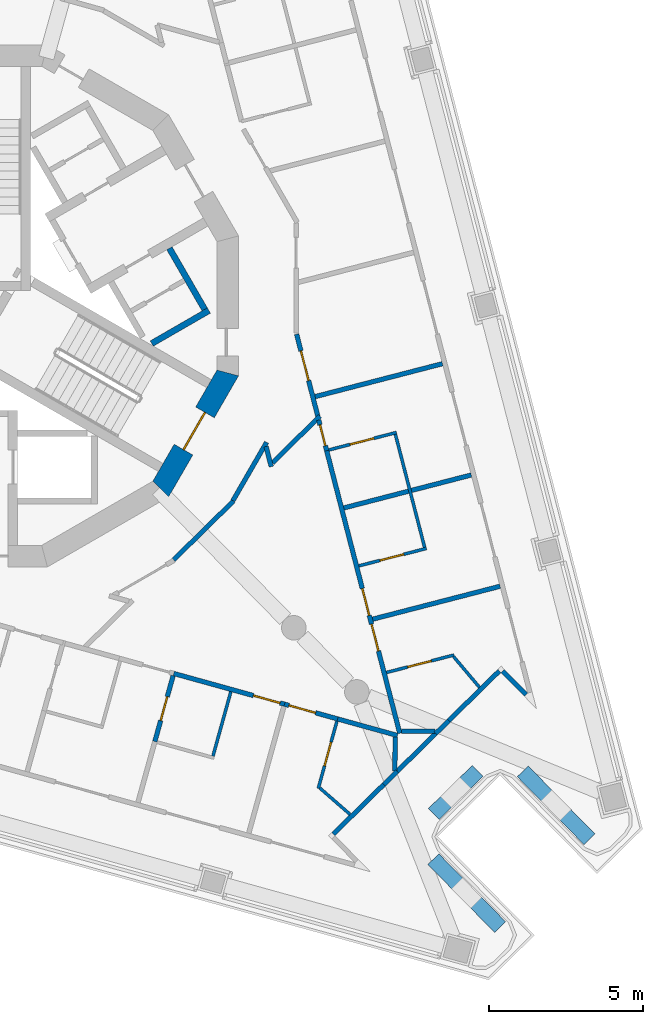
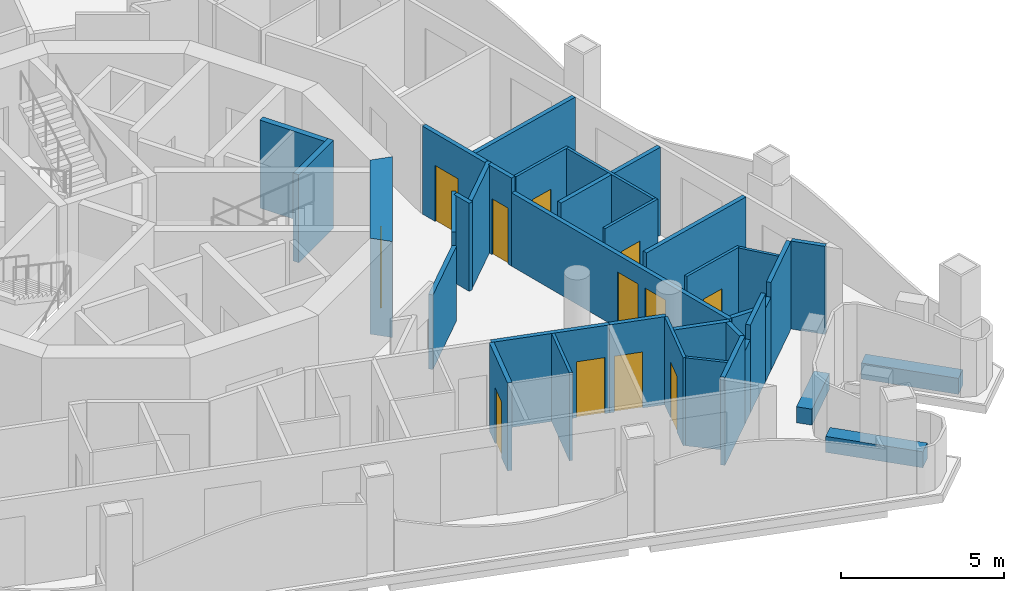
# One storey, part 6 of 14: 36 walls, 12 doors, 12 openings.
"""IFC4 building model written with IfcOpenShell, lengths in metres."""

from ifc_helpers import new_model, si_unit, direction, frame, frame_2d, origin, place, context, subcontext, project, spatial, polyline, rectangle, outline, extrude, material, layer, layer_set, type_object, element, fill, save


model = new_model("IFC4")

# Units and contexts
model_context = context("Model", 3, precision=1e-05, world=origin(), true_north=direction((0.0, 1.0)))
body_context = subcontext(model_context, "Body", "Model", "MODEL_VIEW")
ifc_project = project(units=[si_unit("LENGTHUNIT", "METRE"), si_unit("AREAUNIT", "SQUARE_METRE"), si_unit("VOLUMEUNIT", "CUBIC_METRE"), si_unit("PLANEANGLEUNIT", "RADIAN"), si_unit("MASSUNIT", "GRAM", prefix="KILO")], contexts=[model_context])

# Site, building, storey
site_placement = place(None, origin())
site = spatial("IfcSite", under=ifc_project, at=site_placement, CompositionType="ELEMENT")
building_placement = place(site_placement, origin())
building = spatial("IfcBuilding", under=site, at=building_placement, Name="Trine Commons Tower", CompositionType="ELEMENT")
storey_placement = place(building_placement, frame((0.0, 0.0, 242.10009765625)))
storey = spatial("IfcBuildingStorey", under=building, at=storey_placement, Name="L63", CompositionType="ELEMENT", Elevation=242.10009765625)

# Walls
ifc_material_1 = material(Name="Aluminium-framed insulated wall panel", Category="aluminium")
ifc_layer_1 = layer(ifc_material_1, 0.14990234375)
ifc_layer_set_1 = layer_set([ifc_layer_1], Name="Aluminium-framed insulated wall panel")
wall_type_1 = type_object("IfcWallType", Name="Glazed frame wall 150, EI 60", PredefinedType="SOLIDWALL", material=ifc_layer_set_1)
wall_1_placement = place(storey_placement, frame((97.966796875, 49.731201171875, 0.0), z_axis=(0.0, 0.0, 1.0), x_axis=(-0.700999978355, 0.71316129336, 0.0)))
element("IfcWall", 1, at=wall_1_placement, inside=storey, type_object=wall_type_1, Name="Glazed frame wall R6", PredefinedType="SOLIDWALL", context=body_context, shape_type="SweptSolid", body=[
    extrude(outline(polyline([(0.1494140625, 0.074951171875), (0.1494140625, -0.074951171875), (1.235107421875, -0.074951171875), (1.235107421875, 0.074951171875), (0.1494140625, 0.074951171875)])), origin(), (0.0, 0.0, 1.0), 3.2998046875),
])
wall_2_placement = place(storey_placement, frame((97.073486328125, 50.690185546875, 0.0), z_axis=(0.0, 0.0, 1.0), x_axis=(-0.713250368354, -0.700909346522, 0.0)))
element("IfcWall", 2, at=wall_2_placement, inside=storey, type_object=wall_type_1, Name="Glazed frame wall P2.1", PredefinedType="SOLIDWALL", context=body_context, shape_type="SweptSolid", body=[
    extrude(outline(polyline([(0.110107421875, -0.074951171875), (2.41357421875, -0.074951171875), (2.41357421875, 0.074951171875), (0.110107421875, 0.074951171875), (0.110107421875, -0.074951171875)])), origin(), (0.0, 0.0, 1.0), 3.2998046875),
])
wall_3_placement = place(storey_placement, frame((95.35205078125, 48.99853515625, 0.0), z_axis=(0.0, 0.0, 1.0), x_axis=(-0.713304727682, -0.700854025791, 0.0)))
element("IfcWall", 3, at=wall_3_placement, inside=storey, type_object=wall_type_1, Name="Glazed frame wall P2.2", PredefinedType="SOLIDWALL", context=body_context, shape_type="SweptSolid", body=[
    extrude(outline(polyline([(0.0, -0.074951171875), (0.60791015625, -0.074951171875), (0.60791015625, 0.074951171875), (0.0, 0.074951171875), (0.0, -0.074951171875)])), origin(), (0.0, 0.0, 1.0), 2.75),
])
wall_4_placement = place(storey_placement, frame((94.91845703125, 48.572509765625, 0.0), z_axis=(0.0, 0.0, 1.0), x_axis=(-0.713193839807, -0.700966865737, 0.0)))
element("IfcWall", 4, at=wall_4_placement, inside=storey, type_object=wall_type_1, Name="Glazed frame wall P2.3", PredefinedType="SOLIDWALL", context=body_context, shape_type="SweptSolid", body=[
    extrude(outline(polyline([(0.0, -0.074951171875), (1.757080078125, -0.074951171875), (1.757080078125, 0.074951171875), (0.0, 0.074951171875), (0.0, -0.074951171875)])), origin(), (0.0, 0.0, 1.0), 3.2998046875),
])
wall_5_placement = place(storey_placement, frame((93.665283203125, 47.3408203125, 0.0), z_axis=(0.0, 0.0, 1.0), x_axis=(-0.713304727682, -0.700854025791, 0.0)))
element("IfcWall", 5, at=wall_5_placement, inside=storey, type_object=wall_type_1, Name="Glazed frame wall P2.4", PredefinedType="SOLIDWALL", context=body_context, shape_type="SweptSolid", body=[
    extrude(outline(polyline([(0.0, -0.074951171875), (0.60791015625, -0.074951171875), (0.60791015625, 0.074951171875), (0.0, 0.074951171875), (0.0, -0.074951171875)])), origin(), (0.0, 0.0, 1.0), 2.75),
])
wall_6_placement = place(storey_placement, frame((93.231689453125, 46.914794921875, 0.0), z_axis=(0.0, 0.0, 1.0), x_axis=(-0.713249493487, -0.700910236793, 0.0)))
element("IfcWall", 6, at=wall_6_placement, inside=storey, type_object=wall_type_1, Name="Glazed frame wall P2.5", PredefinedType="SOLIDWALL", context=body_context, shape_type="SweptSolid", body=[
    extrude(outline(polyline([(2.3037109375, 0.074951171875), (0.0, 0.074951171875), (0.0, -0.074951171875), (2.3037109375, -0.074951171875), (2.3037109375, 0.074951171875)])), origin(), (0.0, 0.0, 1.0), 3.2998046875),
])
ifc_material_2 = material(Name="Planter trough, precast concrete C40/50", Category="concrete")
ifc_layer_2 = layer(ifc_material_2, 0.5)
ifc_layer_set_2 = layer_set([ifc_layer_2], Name="Planter trough, precast concrete C40/50")
wall_type_2 = type_object("IfcWallType", Name="Planter trough 500x600", PredefinedType="PARAPET", material=ifc_layer_set_2)
wall_7_placement = place(storey_placement, frame((99.927734375, 45.1318359375, 0.0), z_axis=(0.0, 0.0, 1.0), x_axis=(-0.700897681372, 0.713261831481, 0.0)))
element("IfcWall", 7, at=wall_7_placement, inside=storey, type_object=wall_type_2, Name="Planter 7", PredefinedType="PARAPET", context=body_context, shape_type="SweptSolid", body=[
    extrude(rectangle(XDim=3.10009765625, YDim=0.5, at=frame_2d((1.550048828125, 0.0))), origin(), (0.0, 0.0, 1.0), 0.599853515625),
])
wall_8_placement = place(storey_placement, frame((96.2841796875, 47.355712890625, 0.0), z_axis=(0.0, 0.0, 1.0), x_axis=(-0.713305380591, -0.700853361282, 0.0)))
element("IfcWall", 8, at=wall_8_placement, inside=storey, type_object=wall_type_2, Name="Planter 8", PredefinedType="PARAPET", context=body_context, shape_type="SweptSolid", body=[
    extrude(rectangle(XDim=1.999755859375, YDim=0.5, at=frame_2d((1.0, 0.0))), origin(), (0.0, 0.0, 1.0), 0.599853515625),
])
wall_9_placement = place(storey_placement, frame((94.844970703125, 44.4833984375, 0.0), z_axis=(0.0, 0.0, 1.0), x_axis=(0.700857613291, -0.713301202784, 0.0)))
element("IfcWall", 9, at=wall_9_placement, inside=storey, type_object=wall_type_2, Name="Planter 9", PredefinedType="PARAPET", context=body_context, shape_type="SweptSolid", body=[
    extrude(rectangle(XDim=3.099853515625, YDim=0.5, at=frame_2d((1.5498046875, 0.0))), origin(), (0.0, 0.0, 1.0), 0.599853515625),
])

# Wall, opening, door
ifc_material_3 = material(Name="Concrete C50/60", Category="concrete")
ifc_layer_3 = layer(ifc_material_3, 0.699951171875)
ifc_layer_set_3 = layer_set([ifc_layer_3], Name="Concrete C50/60")
wall_type_3 = type_object("IfcWallType", Name="RC shear wall 700 mm, C50/60", PredefinedType="SHEAR", material=ifc_layer_set_3)
wall_10_placement = place(storey_placement, frame((85.91943359375, 56.452392578125, 0.0), z_axis=(0.0, 0.0, 1.0), x_axis=(0.499983800959, 0.866034756103, 0.0)))
wall_10 = element("IfcWall", 10, at=wall_10_placement, inside=storey, type_object=wall_type_3, Name="Core wall CWG-12 L63", PredefinedType="SHEAR", context=body_context, shape_type="SweptSolid", body=[
    extrude(outline(polyline([(0.0, -0.35009765625), (4.55517578125, -0.35009765625), (4.36767578125, 0.35009765625), (0.1875, 0.35009765625), (0.0, -0.35009765625)])), origin(), (0.0, 0.0, 1.0), 3.599853515625),
])
opening_1_placement = place(wall_10_placement, frame((1.577392578125, 0.0, 0.0)))
opening_1 = element("IfcOpeningElement", 11, at=opening_1_placement, cuts=wall_10, Name="Opening K15.03", PredefinedType="OPENING", context=body_context, shape_type="SweptSolid", body=[
    extrude(rectangle(XDim=1.39990234375, YDim=2.10009765625, at=frame_2d((0.699951171875, 1.050048828125))), frame((0.0, 0.35986328125, 0.0), z_axis=(0.0, -1.0, 0.0), x_axis=(1.0, 0.0, 0.0)), (0.0, 0.0, 1.0), 0.719970703125),
])
ifc_material_4 = material(Name="Steel door leaves, fire-rated", Category="steel")
door_type_1 = type_object("IfcDoorType", Name="Stair door, double leaf 1400 x 2100, FD90", OperationType="DOUBLE_DOOR_SINGLE_SWING", PredefinedType="DOOR", material=ifc_material_4)
door_1_placement = place(opening_1_placement, origin())
door_1 = element("IfcDoor", 12, at=door_1_placement, inside=storey, type_object=door_type_1, Name="Stair door to Exit stair ST3C L63", OperationType="DOUBLE_DOOR_SINGLE_SWING", OverallHeight=2.10009765625, OverallWidth=1.39990234375, PredefinedType="DOOR", context=body_context, shape_type="SweptSolid", body=[
    extrude(rectangle(XDim=1.39990234375, YDim=2.10009765625, at=frame_2d((0.699951171875, 1.050048828125))), frame((0.0, 0.02490234375, 0.0), z_axis=(0.0, -1.0, 0.0), x_axis=(1.0, 0.0, 0.0)), (0.0, 0.0, 1.0), 0.050048828125),
])
fill(opening_1, door_1)

# Walls
ifc_material_5 = material(Name="Fire-rated gypsum shaft wall system")
ifc_layer_4 = layer(ifc_material_5, 0.199951171875)
ifc_layer_set_4 = layer_set([ifc_layer_4], Name="Fire-rated gypsum shaft wall system")
wall_type_4 = type_object("IfcWallType", Name="Shaft wall 200 mm, EI 120", PredefinedType="PARTITIONING", material=ifc_layer_set_4)
wall_11_placement = place(storey_placement, frame((85.675048828125, 61.27392578125, 0.0), z_axis=(0.0, 0.0, 1.0), x_axis=(0.866102336459, 0.499866725018, 0.0)))
element("IfcWall", 13, at=wall_11_placement, inside=storey, type_object=wall_type_4, Name="Shaft wall L63", PredefinedType="PARTITIONING", context=body_context, shape_type="SweptSolid", body=[
    extrude(rectangle(XDim=2.1484375, YDim=0.199951171875, at=frame_2d((1.07421875, 0.0))), origin(), (0.0, 0.0, 1.0), 3.2998046875),
])
wall_12_placement = place(storey_placement, frame((86.2490234375, 64.3759765625, 0.0), z_axis=(0.0, 0.0, 1.0), x_axis=(0.500136062276, -0.86594683394, 0.0)))
element("IfcWall", 14, at=wall_12_placement, inside=storey, type_object=wall_type_4, Name="Shaft wall L63", PredefinedType="PARTITIONING", context=body_context, shape_type="SweptSolid", body=[
    extrude(rectangle(XDim=2.299072265625, YDim=0.199951171875, at=frame_2d((1.1494140625, 0.0))), origin(), (0.0, 0.0, 1.0), 3.2998046875),
])

# Wall, opening, door
ifc_material_6 = material(Name="Gypsum plasterboard on steel stud", Category="steel")
ifc_layer_5 = layer(ifc_material_6, 0.14990234375)
ifc_layer_set_5 = layer_set([ifc_layer_5], Name="Gypsum plasterboard on steel stud")
wall_type_5 = type_object("IfcWallType", Name="Unit and corridor wall 150 mm, EI 60", PredefinedType="PARTITIONING", material=ifc_layer_set_5)
wall_13_placement = place(storey_placement, frame((85.77587890625, 48.31298828125, 0.0), z_axis=(0.0, 0.0, 1.0), x_axis=(0.267423129935, 0.963579197355, 0.0)))
wall_13 = element("IfcWall", 15, at=wall_13_placement, inside=storey, type_object=wall_type_5, Name="Partition 074", PredefinedType="PARTITIONING", context=body_context, shape_type="SweptSolid", body=[
    extrude(rectangle(XDim=2.224853515625, YDim=0.14990234375, at=frame_2d((1.1123046875, 0.0))), origin(), (0.0, 0.0, 1.0), 3.2998046875),
])
opening_2_placement = place(wall_13_placement, frame((0.71240234375, 0.0, 0.0)))
opening_2 = element("IfcOpeningElement", 16, at=opening_2_placement, cuts=wall_13, Name="Opening D-7A41", PredefinedType="OPENING", context=body_context, shape_type="SweptSolid", body=[
    extrude(rectangle(XDim=0.800048828125, YDim=2.10009765625, at=frame_2d((0.39990234375, 1.050048828125))), frame((0.0, 0.0849609375, 0.0), z_axis=(0.0, -1.0, 0.0), x_axis=(1.0, 0.0, 0.0)), (0.0, 0.0, 1.0), 0.169921875),
])
ifc_material_7 = material(Name="Painted timber", Category="wood")
door_type_2 = type_object("IfcDoorType", Name="Internal door 800 x 2100, NOT RATED", OperationType="NOTDEFINED", PredefinedType="DOOR", material=ifc_material_7)
door_2_placement = place(opening_2_placement, origin())
door_2 = element("IfcDoor", 17, at=door_2_placement, inside=storey, type_object=door_type_2, Name="Door D-7A41", OperationType="SINGLE_SWING_RIGHT", OverallHeight=2.10009765625, OverallWidth=0.800048828125, PredefinedType="DOOR", context=body_context, shape_type="SweptSolid", body=[
    extrude(rectangle(XDim=0.800048828125, YDim=2.10009765625, at=frame_2d((0.39990234375, 1.050048828125))), frame((0.0, 0.02490234375, 0.0), z_axis=(0.0, -1.0, 0.0), x_axis=(1.0, 0.0, 0.0)), (0.0, 0.0, 1.0), 0.050048828125),
])
fill(opening_2, door_2)

# Wall
wall_14_placement = place(storey_placement, frame((86.384521484375, 54.2275390625, 0.0), z_axis=(0.0, 0.0, 1.0), x_axis=(0.713113779806, 0.701048312922, 0.0)))
element("IfcWall", 18, at=wall_14_placement, inside=storey, type_object=wall_type_5, Name="Partition 078", PredefinedType="PARTITIONING", context=body_context, shape_type="SweptSolid", body=[
    extrude(rectangle(XDim=2.731689453125, YDim=0.14990234375, at=frame_2d((1.36572265625, 0.0))), origin(), (0.0, 0.0, 1.0), 2.7998046875),
])

# Wall, opening, door
wall_15_placement = place(storey_placement, frame((86.39111328125, 50.529052734375, 0.0), z_axis=(0.0, 0.0, 1.0), x_axis=(0.963631856359, -0.267233316428, 0.0)))
wall_15 = element("IfcWall", 19, at=wall_15_placement, inside=storey, type_object=wall_type_5, Name="Partition 079", PredefinedType="PARTITIONING", context=body_context, shape_type="SweptSolid", body=[
    extrude(rectangle(XDim=3.741943359375, YDim=0.14990234375, at=frame_2d((1.87109375, 0.0))), origin(), (0.0, 0.0, 1.0), 3.2998046875),
])
opening_3_placement = place(wall_15_placement, frame((2.692138671875, 0.0, 0.0)))
opening_3 = element("IfcOpeningElement", 20, at=opening_3_placement, cuts=wall_15, Name="Opening D-7A20", PredefinedType="OPENING", context=body_context, shape_type="SweptSolid", body=[
    extrude(rectangle(XDim=0.89990234375, YDim=2.10009765625, at=frame_2d((0.449951171875, 1.050048828125))), frame((0.0, 0.0849609375, 0.0), z_axis=(0.0, -1.0, 0.0), x_axis=(1.0, 0.0, 0.0)), (0.0, 0.0, 1.0), 0.169921875),
])
ifc_material_8 = material(Name="Timber fire door set", Category="wood")
door_type_3 = type_object("IfcDoorType", Name="Bedroom door 900 x 2100, FD30S", OperationType="NOTDEFINED", PredefinedType="DOOR", material=ifc_material_8)
door_3_placement = place(opening_3_placement, frame((0.89990234375, 0.0, 0.0), z_axis=(0.0, 0.0, 1.0), x_axis=(-1.0, 0.0, 0.0)))
door_3 = element("IfcDoor", 21, at=door_3_placement, inside=storey, type_object=door_type_3, Name="Door D-7A20", OperationType="SINGLE_SWING_LEFT", OverallHeight=2.10009765625, OverallWidth=0.89990234375, PredefinedType="DOOR", context=body_context, shape_type="SweptSolid", body=[
    extrude(rectangle(XDim=0.89990234375, YDim=2.10009765625, at=frame_2d((0.449951171875, 1.050048828125))), frame((0.0, 0.02490234375, 0.0), z_axis=(0.0, -1.0, 0.0), x_axis=(1.0, 0.0, 0.0)), (0.0, 0.0, 1.0), 0.050048828125),
])
fill(opening_3, door_3)

# Walls
wall_16_placement = place(storey_placement, frame((88.31640625, 56.15478515625, 0.0), z_axis=(0.0, 0.0, 1.0), x_axis=(0.500129524705, 0.865950609745, 0.0)))
element("IfcWall", 22, at=wall_16_placement, inside=storey, type_object=wall_type_5, Name="Partition 087", PredefinedType="PARTITIONING", context=body_context, shape_type="SweptSolid", body=[
    extrude(rectangle(XDim=2.19775390625, YDim=0.14990234375, at=frame_2d((1.098876953125, 0.0))), origin(), (0.0, 0.0, 1.0), 3.2998046875),
])
wall_17_placement = place(storey_placement, frame((89.396728515625, 57.92041015625, 0.0), z_axis=(0.0, 0.0, 1.0), x_axis=(0.249398389606, -0.968400972357, 0.0)))
element("IfcWall", 23, at=wall_17_placement, inside=storey, type_object=wall_type_5, Name="Partition 091", PredefinedType="PARTITIONING", context=body_context, shape_type="SweptSolid", body=[
    extrude(rectangle(XDim=0.677490234375, YDim=0.14990234375, at=frame_2d((0.3388671875, 0.0))), origin(), (0.0, 0.0, 1.0), 3.2998046875),
])
wall_18_placement = place(storey_placement, frame((89.60546875, 57.3896484375, 0.0), z_axis=(0.0, 0.0, 1.0), x_axis=(0.713117689353, 0.701044336068, 0.0)))
element("IfcWall", 24, at=wall_18_placement, inside=storey, type_object=wall_type_5, Name="Partition 093", PredefinedType="PARTITIONING", context=body_context, shape_type="SweptSolid", body=[
    extrude(rectangle(XDim=2.16357421875, YDim=0.14990234375, at=frame_2d((1.081787109375, 0.0))), origin(), (0.0, 0.0, 1.0), 3.2998046875),
])

# Wall, opening, door
wall_19_placement = place(storey_placement, frame((89.9970703125, 49.529052734375, 0.0), z_axis=(0.0, 0.0, 1.0), x_axis=(0.963677325853, -0.267069301188, 0.0)))
wall_19 = element("IfcWall", 25, at=wall_19_placement, inside=storey, type_object=wall_type_5, Name="Partition 095", PredefinedType="PARTITIONING", context=body_context, shape_type="SweptSolid", body=[
    extrude(rectangle(XDim=1.797119140625, YDim=0.14990234375, at=frame_2d((0.8984375, 0.0))), origin(), (0.0, 0.0, 1.0), 3.2998046875),
])
opening_4_placement = place(wall_19_placement, frame((0.14990234375, 0.0, 0.0)))
opening_4 = element("IfcOpeningElement", 26, at=opening_4_placement, cuts=wall_19, Name="Opening D-7A19", PredefinedType="OPENING", context=body_context, shape_type="SweptSolid", body=[
    extrude(rectangle(XDim=0.89990234375, YDim=2.10009765625, at=frame_2d((0.449951171875, 1.050048828125))), frame((0.0, 0.0849609375, 0.0), z_axis=(0.0, -1.0, 0.0), x_axis=(1.0, 0.0, 0.0)), (0.0, 0.0, 1.0), 0.169921875),
])
door_4_placement = place(opening_4_placement, frame((0.89990234375, 0.0, 0.0), z_axis=(0.0, 0.0, 1.0), x_axis=(-1.0, 0.0, 0.0)))
door_4 = element("IfcDoor", 27, at=door_4_placement, inside=storey, type_object=door_type_3, Name="Door D-7A19", OperationType="SINGLE_SWING_RIGHT", OverallHeight=2.10009765625, OverallWidth=0.89990234375, PredefinedType="DOOR", context=body_context, shape_type="SweptSolid", body=[
    extrude(rectangle(XDim=0.89990234375, YDim=2.10009765625, at=frame_2d((0.449951171875, 1.050048828125))), frame((0.0, 0.02490234375, 0.0), z_axis=(0.0, -1.0, 0.0), x_axis=(1.0, 0.0, 0.0)), (0.0, 0.0, 1.0), 0.050048828125),
])
fill(opening_4, door_4)

wall_20_placement = place(storey_placement, frame((90.39208984375, 61.576904296875, 0.0), z_axis=(0.0, 0.0, 1.0), x_axis=(0.250280264266, -0.96817342936, 0.0)))
wall_20 = element("IfcWall", 28, at=wall_20_placement, inside=storey, type_object=wall_type_5, Name="Partition 099", PredefinedType="PARTITIONING", context=body_context, shape_type="SweptSolid", body=[
    extrude(rectangle(XDim=2.808349609375, YDim=0.14990234375, at=frame_2d((1.404296875, 0.0))), origin(), (0.0, 0.0, 1.0), 3.2998046875),
])
opening_5_placement = place(wall_20_placement, frame((0.5595703125, 0.0, 0.0)))
opening_5 = element("IfcOpeningElement", 29, at=opening_5_placement, cuts=wall_20, Name="Opening D-7A15", PredefinedType="OPENING", context=body_context, shape_type="SweptSolid", body=[
    extrude(rectangle(XDim=1.0, YDim=2.10009765625, at=frame_2d((0.5, 1.050048828125))), frame((0.0, 0.0849609375, 0.0), z_axis=(0.0, -1.0, 0.0), x_axis=(1.0, 0.0, 0.0)), (0.0, 0.0, 1.0), 0.169921875),
])
door_type_4 = type_object("IfcDoorType", Name="Toilet door 1000 x 2100, NOT RATED", OperationType="NOTDEFINED", PredefinedType="DOOR", material=ifc_material_7)
door_5_placement = place(opening_5_placement, origin())
door_5 = element("IfcDoor", 30, at=door_5_placement, inside=storey, type_object=door_type_4, Name="Door D-7A15", OperationType="SINGLE_SWING_LEFT", OverallHeight=2.10009765625, OverallWidth=1.0, PredefinedType="DOOR", context=body_context, shape_type="SweptSolid", body=[
    extrude(rectangle(XDim=1.0, YDim=2.10009765625, at=frame_2d((0.5, 1.050048828125))), frame((0.0, 0.02490234375, 0.0), z_axis=(0.0, -1.0, 0.0), x_axis=(1.0, 0.0, 0.0)), (0.0, 0.0, 1.0), 0.050048828125),
])
fill(opening_5, door_5)

# Wall
wall_21_placement = place(storey_placement, frame((90.99267578125, 59.543701171875, 0.0), z_axis=(0.0, 0.0, 1.0), x_axis=(0.968129527106, 0.250450032434, 0.0)))
element("IfcWall", 31, at=wall_21_placement, inside=storey, type_object=wall_type_5, Name="Partition 100", PredefinedType="PARTITIONING", context=body_context, shape_type="SweptSolid", body=[
    extrude(rectangle(XDim=4.28515625, YDim=0.14990234375, at=frame_2d((2.142578125, 0.0))), origin(), (0.0, 0.0, 1.0), 3.2998046875),
])

# Wall, opening, door
wall_22_placement = place(storey_placement, frame((91.11279296875, 58.782470703125, 0.0), z_axis=(0.0, 0.0, 1.0), x_axis=(0.249777676576, -0.968303212989, 0.0)))
wall_22 = element("IfcWall", 32, at=wall_22_placement, inside=storey, type_object=wall_type_5, Name="Partition 101", PredefinedType="PARTITIONING", context=body_context, shape_type="SweptSolid", body=[
    extrude(rectangle(XDim=1.0302734375, YDim=0.14990234375, at=frame_2d((0.51513671875, 0.0))), origin(), (0.0, 0.0, 1.0), 3.2998046875),
])
opening_6_placement = place(wall_22_placement, frame((0.162841796875, 0.0, 0.0)))
opening_6 = element("IfcOpeningElement", 33, at=opening_6_placement, cuts=wall_22, Name="Opening D-7A16", PredefinedType="OPENING", context=body_context, shape_type="SweptSolid", body=[
    extrude(rectangle(XDim=0.699951171875, YDim=2.10009765625, at=frame_2d((0.35009765625, 1.050048828125))), frame((0.0, 0.0849609375, 0.0), z_axis=(0.0, -1.0, 0.0), x_axis=(1.0, 0.0, 0.0)), (0.0, 0.0, 1.0), 0.169921875),
])
door_type_5 = type_object("IfcDoorType", Name="Bedroom door 700 x 2100, FD30S", OperationType="NOTDEFINED", PredefinedType="DOOR", material=ifc_material_8)
door_6_placement = place(opening_6_placement, origin())
door_6 = element("IfcDoor", 34, at=door_6_placement, inside=storey, type_object=door_type_5, Name="Door D-7A16", OperationType="SINGLE_SWING_LEFT", OverallHeight=2.10009765625, OverallWidth=0.699951171875, PredefinedType="DOOR", context=body_context, shape_type="SweptSolid", body=[
    extrude(rectangle(XDim=0.699951171875, YDim=2.10009765625, at=frame_2d((0.35009765625, 1.050048828125))), frame((0.0, 0.02490234375, 0.0), z_axis=(0.0, -1.0, 0.0), x_axis=(1.0, 0.0, 0.0)), (0.0, 0.0, 1.0), 0.050048828125),
])
fill(opening_6, door_6)

# Wall, openings, doors
wall_23_placement = place(storey_placement, frame((91.35546875, 57.84130859375, 0.0), z_axis=(0.0, 0.0, 1.0), x_axis=(0.25042530879, -0.968135922646, 0.0)))
wall_23 = element("IfcWall", 35, at=wall_23_placement, inside=storey, type_object=wall_type_5, Name="Partition 104", PredefinedType="PARTITIONING", context=body_context, shape_type="SweptSolid", body=[
    extrude(rectangle(XDim=9.564697265625, YDim=0.14990234375, at=frame_2d((4.7822265625, 0.0))), origin(), (0.0, 0.0, 1.0), 2.75),
])
opening_7_placement = place(wall_23_placement, frame((4.696533203125, 0.0, 0.0)))
opening_7 = element("IfcOpeningElement", 36, at=opening_7_placement, cuts=wall_23, Name="Opening D-7A17", PredefinedType="OPENING", context=body_context, shape_type="SweptSolid", body=[
    extrude(rectangle(XDim=0.89990234375, YDim=2.10009765625, at=frame_2d((0.449951171875, 1.050048828125))), frame((0.0, 0.0849609375, 0.0), z_axis=(0.0, -1.0, 0.0), x_axis=(1.0, 0.0, 0.0)), (0.0, 0.0, 1.0), 0.169921875),
])
opening_8_placement = place(wall_23_placement, frame((5.896728515625, 0.0, 0.0)))
opening_8 = element("IfcOpeningElement", 37, at=opening_8_placement, cuts=wall_23, Name="Opening D-7A18", PredefinedType="OPENING", context=body_context, shape_type="SweptSolid", body=[
    extrude(rectangle(XDim=0.89990234375, YDim=2.10009765625, at=frame_2d((0.449951171875, 1.050048828125))), frame((0.0, 0.0849609375, 0.0), z_axis=(0.0, -1.0, 0.0), x_axis=(1.0, 0.0, 0.0)), (0.0, 0.0, 1.0), 0.169921875),
])
door_7_placement = place(opening_7_placement, origin())
door_7 = element("IfcDoor", 38, at=door_7_placement, inside=storey, type_object=door_type_3, Name="Door D-7A17", OperationType="SINGLE_SWING_RIGHT", OverallHeight=2.10009765625, OverallWidth=0.89990234375, PredefinedType="DOOR", context=body_context, shape_type="SweptSolid", body=[
    extrude(rectangle(XDim=0.89990234375, YDim=2.10009765625, at=frame_2d((0.449951171875, 1.050048828125))), frame((0.0, 0.02490234375, 0.0), z_axis=(0.0, -1.0, 0.0), x_axis=(1.0, 0.0, 0.0)), (0.0, 0.0, 1.0), 0.050048828125),
])
fill(opening_7, door_7)
door_8_placement = place(opening_8_placement, origin())
door_8 = element("IfcDoor", 39, at=door_8_placement, inside=storey, type_object=door_type_3, Name="Door D-7A18", OperationType="SINGLE_SWING_RIGHT", OverallHeight=2.10009765625, OverallWidth=0.89990234375, PredefinedType="DOOR", context=body_context, shape_type="SweptSolid", body=[
    extrude(rectangle(XDim=0.89990234375, YDim=2.10009765625, at=frame_2d((0.449951171875, 1.050048828125))), frame((0.0, 0.02490234375, 0.0), z_axis=(0.0, -1.0, 0.0), x_axis=(1.0, 0.0, 0.0)), (0.0, 0.0, 1.0), 0.050048828125),
])
fill(opening_8, door_8)

# Walls
wall_24_placement = place(storey_placement, frame((91.6728515625, 49.064453125, 0.0), z_axis=(0.0, 0.0, 1.0), x_axis=(0.963652381101, -0.267159294054, 0.0)))
element("IfcWall", 40, at=wall_24_placement, inside=storey, type_object=wall_type_5, Name="Partition 106", PredefinedType="PARTITIONING", context=body_context, shape_type="SweptSolid", body=[
    extrude(rectangle(XDim=2.0791015625, YDim=0.14990234375, at=frame_2d((1.03955078125, 0.0))), origin(), (0.0, 0.0, 1.0), 2.75),
])
wall_25_placement = place(storey_placement, frame((91.9296875, 55.919921875, 0.0), z_axis=(0.0, 0.0, 1.0), x_axis=(0.968143339783, 0.250396632634, 0.0)))
element("IfcWall", 41, at=wall_25_placement, inside=storey, type_object=wall_type_5, Name="Partition 107", PredefinedType="PARTITIONING", context=body_context, shape_type="SweptSolid", body=[
    extrude(rectangle(XDim=4.28515625, YDim=0.14990234375, at=frame_2d((2.142578125, 0.0))), origin(), (0.0, 0.0, 1.0), 3.2998046875),
])
wall_26_placement = place(storey_placement, frame((92.86767578125, 52.296875, 0.0), z_axis=(0.0, 0.0, 1.0), x_axis=(0.968184295309, 0.250238227129, 0.0)))
element("IfcWall", 42, at=wall_26_placement, inside=storey, type_object=wall_type_5, Name="Partition 109", PredefinedType="PARTITIONING", context=body_context, shape_type="SweptSolid", body=[
    extrude(rectangle(XDim=4.283935546875, YDim=0.14990234375, at=frame_2d((2.14208984375, 0.0))), origin(), (0.0, 0.0, 1.0), 3.2998046875),
])
for number, where, z_axis, x_axis, name in (
    (43, (93.589599609375, 47.35595703125, 0.0), (0.0, 0.0, 1.0), (0.012226742726, 0.999925250587, 0.0), "Partition 111"),
    (44, (93.806884765625, 48.653564453125, 0.0), (0.0, 0.0, 1.0), (0.999983294214, -0.005780250256, 0.0), "Partition 113"),
):
    element("IfcWall", number, at=place(storey_placement, frame(where, z_axis=z_axis, x_axis=x_axis)), inside=storey, type_object=wall_type_5, Name=name, PredefinedType="PARTITIONING", context=body_context, shape_type="SweptSolid", body=[
        extrude(rectangle(XDim=1.09814453125, YDim=0.14990234375, at=frame_2d((0.549072265625, 0.0))), origin(), (0.0, 0.0, 1.0), 2.75),
    ])
ifc_layer_6 = layer(ifc_material_6, 0.10009765625)
ifc_layer_set_6 = layer_set([ifc_layer_6], Name="Gypsum plasterboard on steel stud")
wall_type_6 = type_object("IfcWallType", Name="Unit partition 100 mm, no rating", PredefinedType="PARTITIONING", material=ifc_layer_set_6)
wall_27_placement = place(storey_placement, frame((87.66845703125, 47.840087890625, 0.0), z_axis=(0.0, 0.0, 1.0), x_axis=(0.26738911175, 0.96358863781, 0.0)))
element("IfcWall", 45, at=wall_27_placement, inside=storey, type_object=wall_type_6, Name="Partition 083", PredefinedType="PARTITIONING", context=body_context, shape_type="SweptSolid", body=[
    extrude(rectangle(XDim=2.1748046875, YDim=0.10009765625, at=frame_2d((1.08740234375, 0.0))), origin(), (0.0, 0.0, 1.0), 3.2998046875),
])

# Wall, opening, door
wall_28_placement = place(storey_placement, frame((91.0966796875, 46.784912109375, 0.0), z_axis=(0.0, 0.0, 1.0), x_axis=(0.267345061669, 0.963600860316, 0.0)))
wall_28 = element("IfcWall", 46, at=wall_28_placement, inside=storey, type_object=wall_type_6, Name="Partition 102", PredefinedType="PARTITIONING", context=body_context, shape_type="SweptSolid", body=[
    extrude(rectangle(XDim=2.275634765625, YDim=0.10009765625, at=frame_2d((1.1376953125, 0.0))), origin(), (0.0, 0.0, 1.0), 3.2998046875),
])
opening_9_placement = place(wall_28_placement, frame((0.762939453125, 0.0, 0.0)))
opening_9 = element("IfcOpeningElement", 47, at=opening_9_placement, cuts=wall_28, Name="Opening D-7A40", PredefinedType="OPENING", context=body_context, shape_type="SweptSolid", body=[
    extrude(rectangle(XDim=0.800048828125, YDim=2.10009765625, at=frame_2d((0.39990234375, 1.050048828125))), frame((0.0, 0.06005859375, 0.0), z_axis=(0.0, -1.0, 0.0), x_axis=(1.0, 0.0, 0.0)), (0.0, 0.0, 1.0), 0.1201171875),
])
door_9_placement = place(opening_9_placement, origin())
door_9 = element("IfcDoor", 48, at=door_9_placement, inside=storey, type_object=door_type_2, Name="Door D-7A40", OperationType="SINGLE_SWING_RIGHT", OverallHeight=2.10009765625, OverallWidth=0.800048828125, PredefinedType="DOOR", context=body_context, shape_type="SweptSolid", body=[
    extrude(rectangle(XDim=0.800048828125, YDim=2.10009765625, at=frame_2d((0.39990234375, 1.050048828125))), frame((0.0, 0.02490234375, 0.0), z_axis=(0.0, -1.0, 0.0), x_axis=(1.0, 0.0, 0.0)), (0.0, 0.0, 1.0), 0.050048828125),
])
fill(opening_9, door_9)

# Wall
wall_29_placement = place(storey_placement, frame((91.147705078125, 46.800048828125, 0.0), z_axis=(0.0, 0.0, 1.0), x_axis=(0.753374202667, -0.657592054967, 0.0)))
element("IfcWall", 49, at=wall_29_placement, inside=storey, type_object=wall_type_6, Name="Partition 103", PredefinedType="PARTITIONING", context=body_context, shape_type="SweptSolid", body=[
    extrude(rectangle(XDim=1.3076171875, YDim=0.10009765625, at=frame_2d((0.65380859375, 0.0))), origin(), (0.0, 0.0, 1.0), 3.2998046875),
])

# Wall, opening, door
wall_30_placement = place(storey_placement, frame((91.441650390625, 57.807861328125, 0.0), z_axis=(0.0, 0.0, 1.0), x_axis=(0.968154087165, 0.250355074856, 0.0)))
wall_30 = element("IfcWall", 50, at=wall_30_placement, inside=storey, type_object=wall_type_6, Name="Partition 105", PredefinedType="PARTITIONING", context=body_context, shape_type="SweptSolid", body=[
    extrude(rectangle(XDim=2.275146484375, YDim=0.10009765625, at=frame_2d((1.1376953125, 0.0))), origin(), (0.0, 0.0, 1.0), 3.2998046875),
])
opening_10_placement = place(wall_30_placement, frame((0.712646484375, 0.0, 0.0)))
opening_10 = element("IfcOpeningElement", 51, at=opening_10_placement, cuts=wall_30, Name="Opening D-7A37", PredefinedType="OPENING", context=body_context, shape_type="SweptSolid", body=[
    extrude(rectangle(XDim=0.800048828125, YDim=2.10009765625, at=frame_2d((0.39990234375, 1.050048828125))), frame((0.0, 0.06005859375, 0.0), z_axis=(0.0, -1.0, 0.0), x_axis=(1.0, 0.0, 0.0)), (0.0, 0.0, 1.0), 0.1201171875),
])
door_10_placement = place(opening_10_placement, origin())
door_10 = element("IfcDoor", 52, at=door_10_placement, inside=storey, type_object=door_type_2, Name="Door D-7A37", OperationType="SINGLE_SWING_LEFT", OverallHeight=2.10009765625, OverallWidth=0.800048828125, PredefinedType="DOOR", context=body_context, shape_type="SweptSolid", body=[
    extrude(rectangle(XDim=0.800048828125, YDim=2.10009765625, at=frame_2d((0.39990234375, 1.050048828125))), frame((0.0, 0.02490234375, 0.0), z_axis=(0.0, -1.0, 0.0), x_axis=(1.0, 0.0, 0.0)), (0.0, 0.0, 1.0), 0.050048828125),
])
fill(opening_10, door_10)

wall_31_placement = place(storey_placement, frame((92.418701171875, 54.03271484375, 0.0), z_axis=(0.0, 0.0, 1.0), x_axis=(0.968205218878, 0.250157258814, 0.0)))
wall_31 = element("IfcWall", 53, at=wall_31_placement, inside=storey, type_object=wall_type_6, Name="Partition 108", PredefinedType="PARTITIONING", context=body_context, shape_type="SweptSolid", body=[
    extrude(rectangle(XDim=2.27392578125, YDim=0.10009765625, at=frame_2d((1.136962890625, 0.0))), origin(), (0.0, 0.0, 1.0), 3.2998046875),
])
opening_11_placement = place(wall_31_placement, frame((0.7119140625, 0.0, 0.0)))
opening_11 = element("IfcOpeningElement", 54, at=opening_11_placement, cuts=wall_31, Name="Opening D-7A38", PredefinedType="OPENING", context=body_context, shape_type="SweptSolid", body=[
    extrude(rectangle(XDim=0.800048828125, YDim=2.10009765625, at=frame_2d((0.39990234375, 1.050048828125))), frame((0.0, 0.06005859375, 0.0), z_axis=(0.0, -1.0, 0.0), x_axis=(1.0, 0.0, 0.0)), (0.0, 0.0, 1.0), 0.1201171875),
])
door_11_placement = place(opening_11_placement, frame((0.800048828125, 0.0, 0.0), z_axis=(0.0, 0.0, 1.0), x_axis=(-1.0, 0.0, 0.0)))
door_11 = element("IfcDoor", 55, at=door_11_placement, inside=storey, type_object=door_type_2, Name="Door D-7A38", OperationType="SINGLE_SWING_RIGHT", OverallHeight=2.10009765625, OverallWidth=0.800048828125, PredefinedType="DOOR", context=body_context, shape_type="SweptSolid", body=[
    extrude(rectangle(XDim=0.800048828125, YDim=2.10009765625, at=frame_2d((0.39990234375, 1.050048828125))), frame((0.0, 0.02490234375, 0.0), z_axis=(0.0, -1.0, 0.0), x_axis=(1.0, 0.0, 0.0)), (0.0, 0.0, 1.0), 0.050048828125),
])
fill(opening_11, door_11)

wall_32_placement = place(storey_placement, frame((93.316650390625, 50.560791015625, 0.0), z_axis=(0.0, 0.0, 1.0), x_axis=(0.968101130966, 0.25055977375, 0.0)))
wall_32 = element("IfcWall", 56, at=wall_32_placement, inside=storey, type_object=wall_type_6, Name="Partition 110", PredefinedType="PARTITIONING", context=body_context, shape_type="SweptSolid", body=[
    extrude(rectangle(XDim=2.274169921875, YDim=0.10009765625, at=frame_2d((1.13720703125, 0.0))), origin(), (0.0, 0.0, 1.0), 3.2998046875),
])
opening_12_placement = place(wall_32_placement, frame((0.712158203125, 0.0, 0.0)))
opening_12 = element("IfcOpeningElement", 57, at=opening_12_placement, cuts=wall_32, Name="Opening D-7A39", PredefinedType="OPENING", context=body_context, shape_type="SweptSolid", body=[
    extrude(rectangle(XDim=0.800048828125, YDim=2.10009765625, at=frame_2d((0.39990234375, 1.050048828125))), frame((0.0, 0.06005859375, 0.0), z_axis=(0.0, -1.0, 0.0), x_axis=(1.0, 0.0, 0.0)), (0.0, 0.0, 1.0), 0.1201171875),
])
door_12_placement = place(opening_12_placement, origin())
door_12 = element("IfcDoor", 58, at=door_12_placement, inside=storey, type_object=door_type_2, Name="Door D-7A39", OperationType="SINGLE_SWING_LEFT", OverallHeight=2.10009765625, OverallWidth=0.800048828125, PredefinedType="DOOR", context=body_context, shape_type="SweptSolid", body=[
    extrude(rectangle(XDim=0.800048828125, YDim=2.10009765625, at=frame_2d((0.39990234375, 1.050048828125))), frame((0.0, 0.02490234375, 0.0), z_axis=(0.0, -1.0, 0.0), x_axis=(1.0, 0.0, 0.0)), (0.0, 0.0, 1.0), 0.050048828125),
])
fill(opening_12, door_12)

# Walls
wall_33_placement = place(storey_placement, frame((93.6083984375, 58.316650390625, 0.0), z_axis=(0.0, 0.0, 1.0), x_axis=(0.250297686366, -0.968168925446, 0.0)))
element("IfcWall", 59, at=wall_33_placement, inside=storey, type_object=wall_type_6, Name="Partition 112", PredefinedType="PARTITIONING", context=body_context, shape_type="SweptSolid", body=[
    extrude(rectangle(XDim=3.800048828125, YDim=0.10009765625, at=frame_2d((1.89990234375, 0.0))), origin(), (0.0, 0.0, 1.0), 3.2998046875),
])
wall_34_placement = place(storey_placement, frame((95.502197265625, 51.079833984375, 0.0), z_axis=(0.0, 0.0, 1.0), x_axis=(0.644451791136, -0.76464494303, 0.0)))
element("IfcWall", 60, at=wall_34_placement, inside=storey, type_object=wall_type_6, Name="Partition 114", PredefinedType="PARTITIONING", context=body_context, shape_type="SweptSolid", body=[
    extrude(rectangle(XDim=1.30810546875, YDim=0.10009765625, at=frame_2d((0.654052734375, 0.0))), origin(), (0.0, 0.0, 1.0), 3.2998046875),
])

save(model, "model.ifc")
